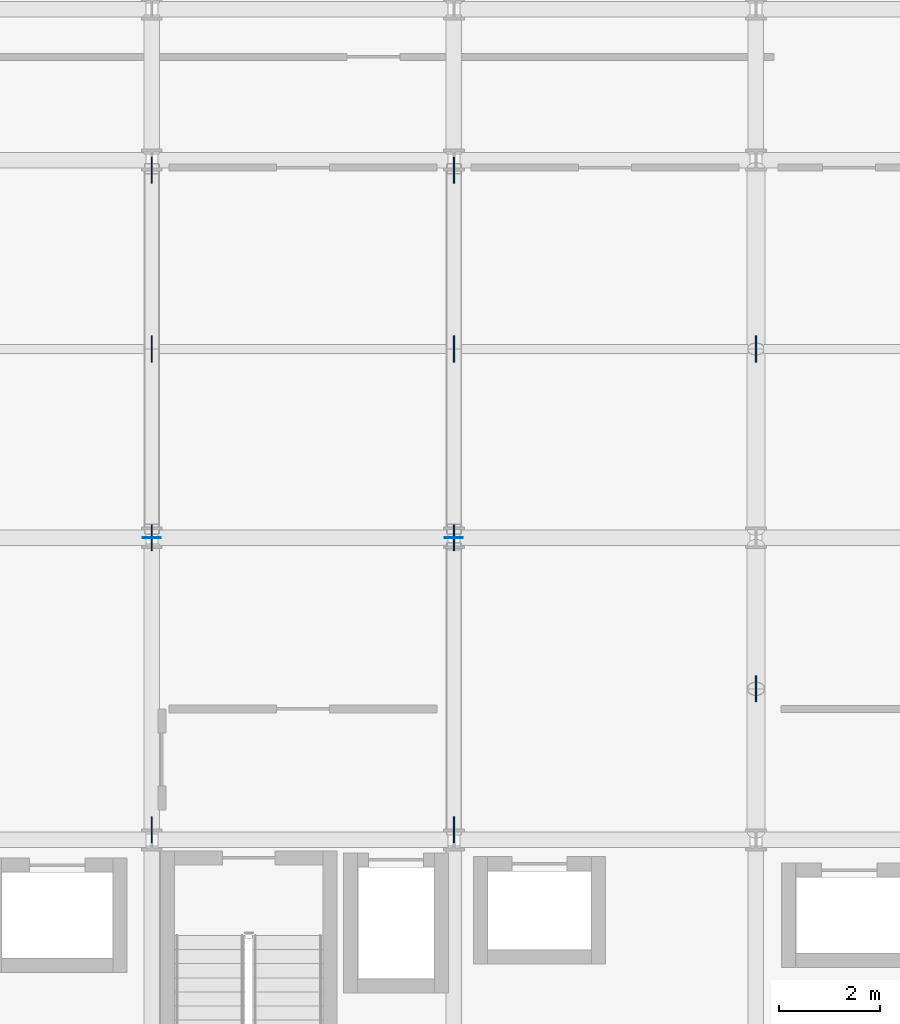
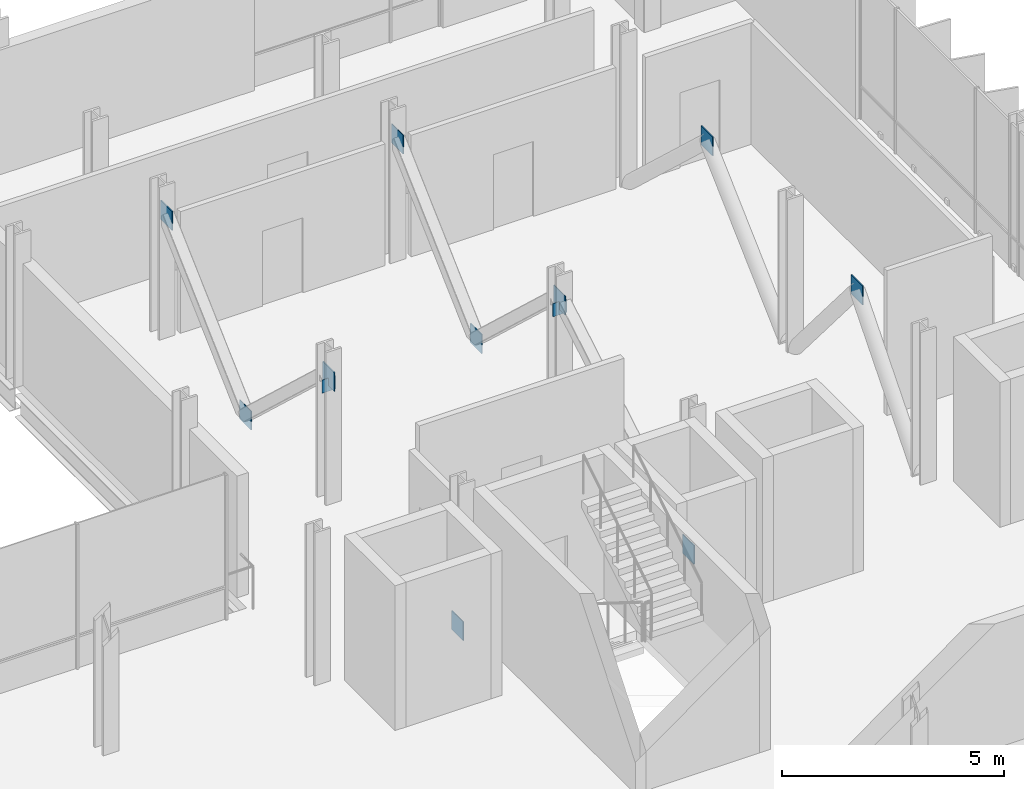
# One storey, part 25 of 32: 12 plates.
"""IFC4 building model written with IfcOpenShell, lengths in metres."""

from ifc_helpers import new_model, si_unit, direction, frame, origin, origin_2d, place, context, subcontext, project, spatial, rectangle, extrude, material, layer, layer_set, type_object, element, save


model = new_model("IFC4")

# Units and contexts
model_context = context("Model", 3, precision=1e-05, world=origin(), true_north=direction((0.0, 1.0)))
body_context = subcontext(model_context, "Body", "Model", "MODEL_VIEW")
ifc_project = project(units=[si_unit("LENGTHUNIT", "METRE"), si_unit("AREAUNIT", "SQUARE_METRE"), si_unit("VOLUMEUNIT", "CUBIC_METRE"), si_unit("PLANEANGLEUNIT", "RADIAN"), si_unit("MASSUNIT", "GRAM", prefix="KILO")], contexts=[model_context])

# Site, building, storey
site_placement = place(None, origin())
site = spatial("IfcSite", under=ifc_project, at=site_placement, CompositionType="ELEMENT")
building_placement = place(site_placement, origin())
building = spatial("IfcBuilding", under=site, at=building_placement, Name="Brevholm Reach", CompositionType="ELEMENT")
storey_placement = place(building_placement, frame((0.0, 0.0, 96.199951171875)))
storey = spatial("IfcBuildingStorey", under=building, at=storey_placement, Name="L28", CompositionType="ELEMENT", Elevation=96.199951171875)

# Plates
ifc_material_1 = material(Name="Structural Steel S460NH", Category="steel")
ifc_layer_1 = layer(ifc_material_1, 0.013916015625)
ifc_layer_set_1 = layer_set([ifc_layer_1], Name="Structural Steel S460NH")
plate_type_1 = type_object("IfcPlateType", Name="PLT-CAP-14", PredefinedType="USERDEFINED", material=ifc_layer_set_1)
for number, where, z_axis, x_axis, name in (
    (1, (42.0, 16.0, 2.95263671875), (0.0, 0.0, 1.0), (1.0, 0.0, 0.0), "L28 Outrigger Chord End-Cap X42"),
    (2, (48.0, 16.0, 2.95263671875), (0.0, 0.0, 1.0), (1.0, 0.0, 0.0), "L28 Outrigger Chord End-Cap X48"),
):
    element("IfcPlate", number, at=place(storey_placement, frame(where, z_axis=z_axis, x_axis=x_axis)), inside=storey, type_object=plate_type_1, Name=name, ObjectType="STIFFENER_PLATE", PredefinedType="USERDEFINED", context=body_context, shape_type="SweptSolid", body=[
        extrude(rectangle(XDim=0.360107421875, YDim=0.013916015625, at=origin_2d()), origin(), (0.0, 0.0, 1.0), 0.360107421875),
    ])
ifc_material_2 = material(Name="Structural Steel S355J2", Category="steel")
ifc_layer_2 = layer(ifc_material_2, 0.02392578125)
ifc_layer_set_2 = layer_set([ifc_layer_2], Name="Structural Steel S355J2")
plate_type_2 = type_object("IfcPlateType", Name="PLT-GUS-24", PredefinedType="USERDEFINED", material=ifc_layer_set_2)
for number, where, z_axis, x_axis, name in (
    (3, (42.0, 10.199951171875, -0.239990234375), (0.0, 0.0, 1.0), (1.0, 0.0, 0.0), "L28 Outrigger Node Gusset X42-10"),
    (4, (42.0, 16.0, 3.0927734375), (0.0, 0.0, 1.0), (1.0, 0.0, 0.0), "L28 Outrigger Node Gusset X42-16"),
    (5, (42.0, 19.75, -0.239990234375), (0.0, 0.0, 1.0), (1.0, 0.0, 0.0), "L28 Outrigger Node Gusset X42-19"),
    (6, (42.0, 23.300048828125, 3.0927734375), (0.0, 0.0, 1.0), (1.0, 0.0, 0.0), "L28 Outrigger Node Gusset X42-23"),
    (7, (48.0, 10.199951171875, -0.239990234375), (0.0, 0.0, 1.0), (1.0, 0.0, 0.0), "L28 Outrigger Node Gusset X48-10"),
    (8, (48.0, 16.0, 3.0927734375), (0.0, 0.0, 1.0), (1.0, 0.0, 0.0), "L28 Outrigger Node Gusset X48-16"),
    (9, (48.0, 19.75, -0.239990234375), (0.0, 0.0, 1.0), (1.0, 0.0, 0.0), "L28 Outrigger Node Gusset X48-19"),
    (10, (48.0, 23.300048828125, 3.0927734375), (0.0, 0.0, 1.0), (1.0, 0.0, 0.0), "L28 Outrigger Node Gusset X48-23"),
    (11, (54.0, 13.0, 3.0927734375), (0.0, 0.0, 1.0), (1.0, 0.0, 0.0), "L28 Belt Truss Apex Gusset BB-03"),
    (12, (54.0, 19.75, 3.0927734375), (0.0, 0.0, 1.0), (1.0, 0.0, 0.0), "L28 Belt Truss Apex Gusset BB-04"),
):
    element("IfcPlate", number, at=place(storey_placement, frame(where, z_axis=z_axis, x_axis=x_axis)), inside=storey, type_object=plate_type_2, Name=name, ObjectType="GUSSET_PLATE", PredefinedType="USERDEFINED", context=body_context, shape_type="SweptSolid", body=[
        extrude(rectangle(XDim=0.02392578125, YDim=0.52001953125, at=origin_2d()), origin(), (0.0, 0.0, 1.0), 0.52001953125),
    ])

save(model, "model.ifc")
